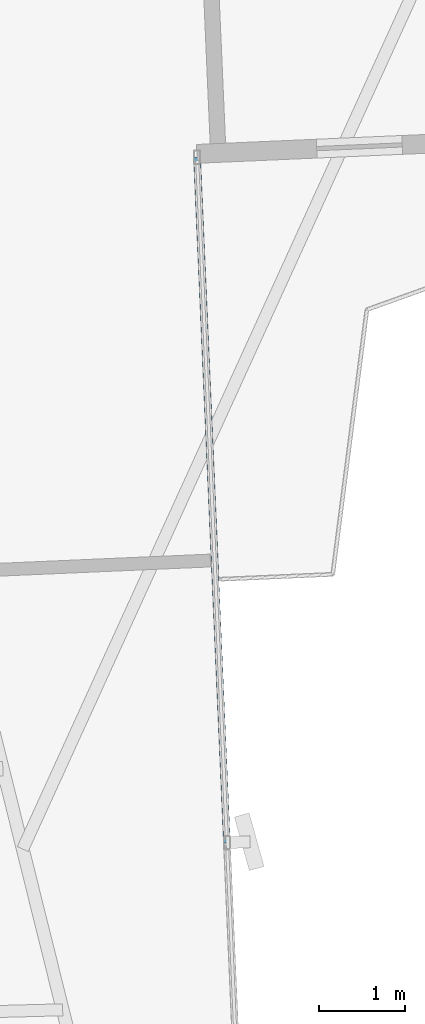
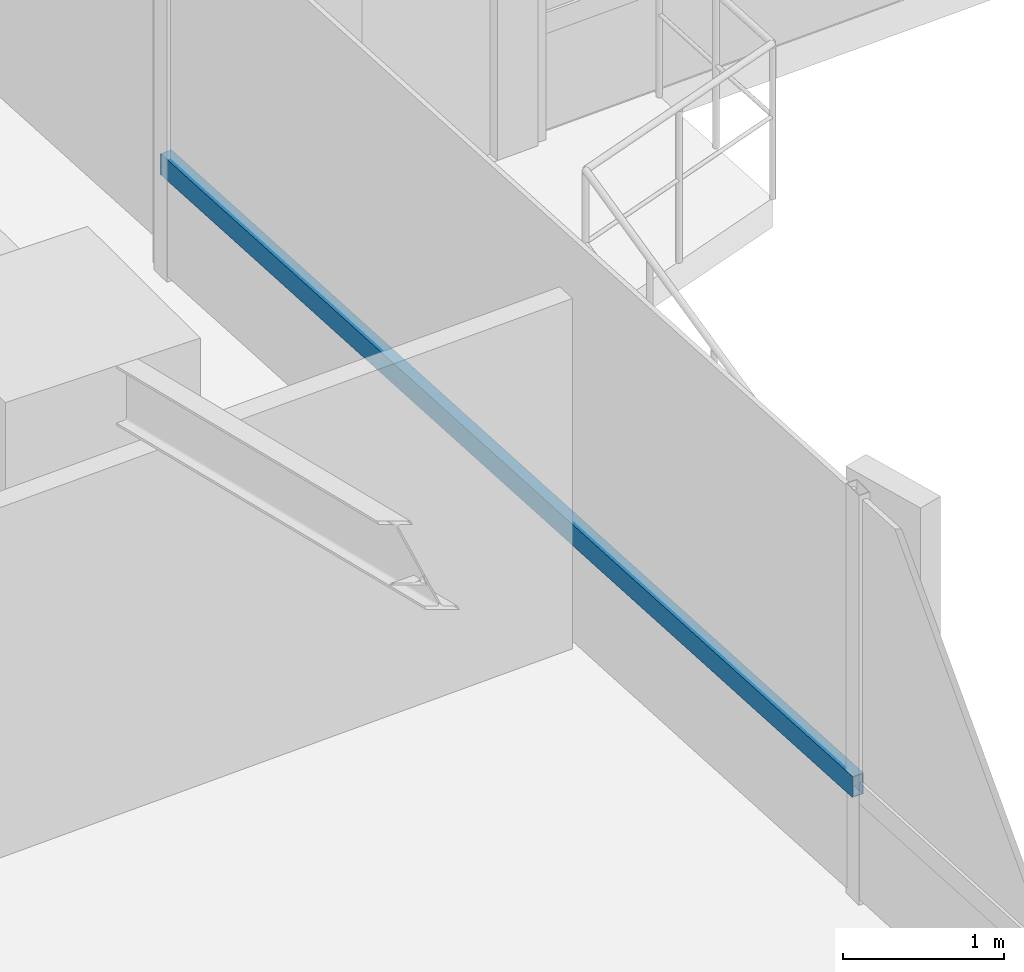
# One storey, part 7 of 26: 1 member, 1 element without a shape of its own.
"""IFC4 building model written with IfcOpenShell, lengths in metres."""

from ifc_helpers import new_model, si_unit, direction, frame, origin, origin_2d, place, context, subcontext, project, spatial, hollow_rectangle, extrude, source, transform, mapped, material, material_profile, profile_set, type_object, element, aggregate, save


model = new_model("IFC4")

# Units and contexts
model_context = context("Model", 3, precision=1e-05, world=origin(), true_north=direction((0.0, 1.0)))
body_context = subcontext(model_context, "Body", "Model", "MODEL_VIEW")
ifc_project = project(units=[si_unit("LENGTHUNIT", "METRE"), si_unit("AREAUNIT", "SQUARE_METRE"), si_unit("VOLUMEUNIT", "CUBIC_METRE"), si_unit("PLANEANGLEUNIT", "RADIAN"), si_unit("MASSUNIT", "GRAM", prefix="KILO")], contexts=[model_context])

# Site, building, storey
site_placement = place(None, origin())
site = spatial("IfcSite", under=ifc_project, at=site_placement, CompositionType="ELEMENT")
building_placement = place(site_placement, origin())
building = spatial("IfcBuilding", under=site, at=building_placement, Name="Sahyath Konkavel Grand Hotel", CompositionType="ELEMENT")
storey_placement = place(building_placement, frame((0.0, 0.0, 83.5)))
storey = spatial("IfcBuildingStorey", under=building, at=storey_placement, Name="L22", CompositionType="ELEMENT", Elevation=83.5)

# Curtain wall, member
ifc_material_1 = material(Name="Anodised Bronze Aluminium & Low-E Glazing", Category="aluminium")
curtain_wall_type = type_object("IfcCurtainWallType", Name="CW-ZONE2", PredefinedType="NOTDEFINED", material=ifc_material_1)
curtain_wall_placement = place(storey_placement, origin())
curtain_wall = element("IfcCurtainWall", 1, at=curtain_wall_placement, inside=storey, type_object=curtain_wall_type, Name="L22 Unitised Curtain Wall F31", PredefinedType="NOTDEFINED")
ifc_material_2 = material(Name="Anodised Bronze Aluminium", Category="aluminium")
ifc_material_profile = material_profile(ifc_material_2, hollow_rectangle(XDim=0.080078125, YDim=0.159912109375, WallThickness=0.006103515625, at=origin_2d()), Name="RHS 160x80x6")
ifc_profile_set = profile_set([ifc_material_profile], Name="Anodised Bronze Aluminium")
member_type = type_object("IfcMemberType", Name="CW-TRN-160", PredefinedType="USERDEFINED", material=ifc_profile_set)
shared_shape = source(origin(), body_context, "Body", "SweptSolid", [
    extrude(hollow_rectangle(XDim=0.080078125, YDim=0.159912109375, WallThickness=0.006103515625, at=origin_2d()), origin(), (0.0, 0.0, 1.0), 8.010009765625),
])
member_placement = place(storey_placement, frame((7.232666015625, -14.34814453125, 0.85009765625), z_axis=(-0.043615785896, 0.999048378819, 0.0), x_axis=(-0.999048378819, -0.043615785896, 0.0)))
member = element("IfcMember", 2, at=member_placement, type_object=member_type, Name="L22 Curtain Wall Transom F31-1-spandrel", ObjectType="TRANSOM", PredefinedType="USERDEFINED", context=body_context, shape_type="MappedRepresentation", body=[
    mapped(shared_shape, transform((0.0, 0.0, 0.0), scale=1.0)),
])
aggregate(curtain_wall, [member])

save(model, "model.ifc")
